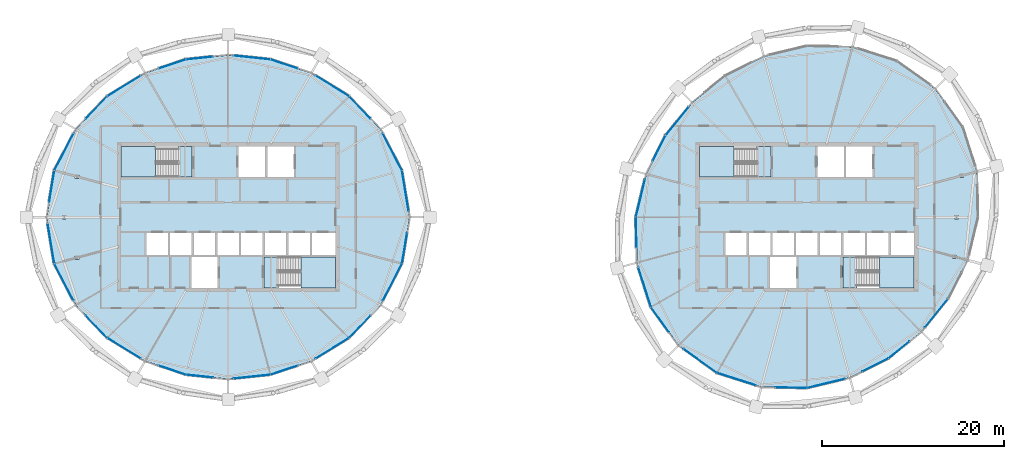
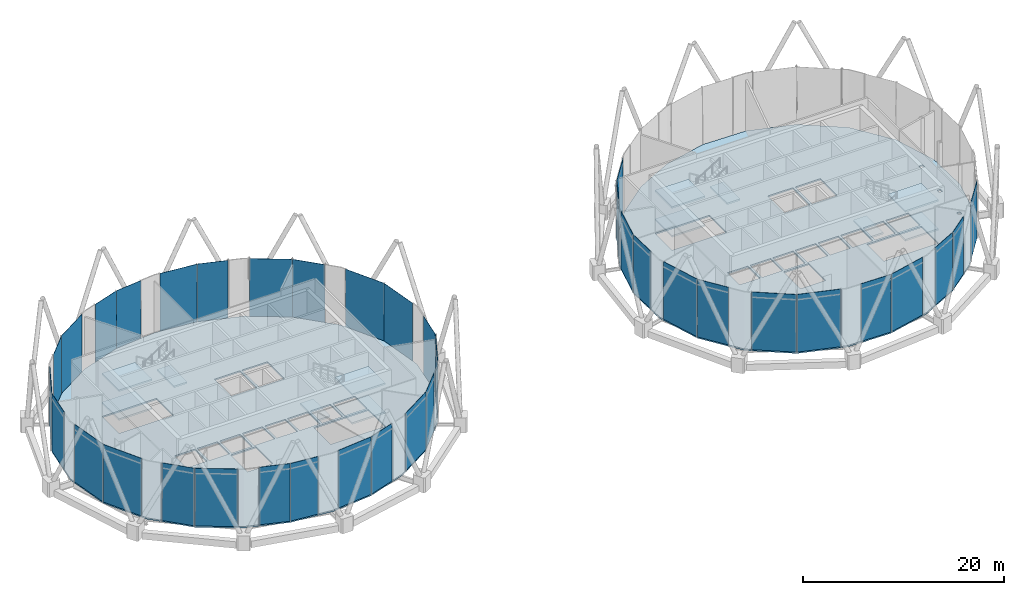
# One storey, part 16 of 28: 37 plates, 14 slabs, 6 elements without a shape of their own.
"""IFC4 building model written with IfcOpenShell, lengths in metres."""

from ifc_helpers import new_model, si_unit, direction, frame, origin, origin_2d, place, context, subcontext, project, spatial, polyline, rectangle, outline, extrude, material, layer, layer_set, type_object, element, aggregate, save


model = new_model("IFC4")

# Units and contexts
model_context = context("Model", 3, precision=1e-05, world=origin(), true_north=direction((0.0, 1.0)))
body_context = subcontext(model_context, "Body", "Model", "MODEL_VIEW")
ifc_project = project(units=[si_unit("LENGTHUNIT", "METRE"), si_unit("AREAUNIT", "SQUARE_METRE"), si_unit("VOLUMEUNIT", "CUBIC_METRE"), si_unit("PLANEANGLEUNIT", "RADIAN"), si_unit("MASSUNIT", "GRAM", prefix="KILO")], contexts=[model_context])

# Site, building, storey
site_placement = place(None, origin())
site = spatial("IfcSite", under=ifc_project, at=site_placement, CompositionType="ELEMENT")
building_placement = place(site_placement, origin())
building = spatial("IfcBuilding", under=site, at=building_placement, Name="Rimbun Link Towers", CompositionType="ELEMENT")
storey_placement = place(building_placement, frame((0.0, 0.0, 256.10009765625)))
storey = spatial("IfcBuildingStorey", under=building, at=storey_placement, Name="L63", CompositionType="ELEMENT", Elevation=256.10009765625)

# Slabs
ifc_material_1 = material(Name="Concrete C35/45", Category="concrete")
ifc_layer_1 = layer(ifc_material_1, 0.179931640625)
ifc_layer_set_1 = layer_set([ifc_layer_1], Name="COMPOSITE FLOOR 180")
slab_type_1 = type_object("IfcSlabType", Name="COMPOSITE FLOOR 180", PredefinedType="FLOOR", material=ifc_layer_set_1)
slab_1_placement = place(storey_placement, frame((0.0, 0.0, -0.18017578125)))
element("IfcSlab", 1, at=slab_1_placement, inside=storey, type_object=slab_type_1, Name="Floor slab T1 L63", PredefinedType="FLOOR", context=body_context, shape_type="SweptSolid", body=[
    extrude(outline(polyline([(-12.693603515625, -5.106201171875), (-15.04248046875, -9.64599609375), (-18.498779296875, -13.251220703125), (-22.6337890625, -15.789794921875), (-27.12060546875, -17.27685546875), (-31.75, -17.764404296875), (-36.37939453125, -17.27685546875), (-40.8662109375, -15.789794921875), (-45.001220703125, -13.251220703125), (-48.45751953125, -9.64599609375), (-50.806396484375, -5.106201171875), (-51.64599609375, 0.0), (-50.806396484375, 5.106201171875), (-48.45751953125, 9.64599609375), (-45.001220703125, 13.251220703125), (-40.8662109375, 15.789794921875), (-36.37939453125, 17.27685546875), (-31.75, 17.764404296875), (-27.12060546875, 17.27685546875), (-22.6337890625, 15.789794921875), (-18.498779296875, 13.251220703125), (-15.04248046875, 9.64599609375), (-12.693603515625, 5.106201171875), (-11.85400390625, 0.0), (-12.693603515625, -5.106201171875)]), holes=[polyline([(-32.89990234375, -7.77490234375), (-32.89990234375, -4.39990234375), (-35.800048828125, -4.39990234375), (-35.800048828125, -7.77490234375), (-32.89990234375, -7.77490234375)]), polyline([(-48.135009765625, -4.640625), (-48.135009765625, -4.2470703125), (-48.533935546875, -4.2470703125), (-48.533935546875, -4.640625), (-48.135009765625, -4.640625)]), polyline([(-38.361083984375, -4.14990234375), (-38.361083984375, -1.75), (-40.70556640625, -1.75), (-40.70556640625, -4.14990234375), (-38.361083984375, -4.14990234375)]), polyline([(-35.7666015625, -4.14990234375), (-35.7666015625, -1.75), (-38.111083984375, -1.75), (-38.111083984375, -4.14990234375), (-35.7666015625, -4.14990234375)]), polyline([(-33.172119140625, -4.14990234375), (-33.172119140625, -1.75), (-35.5166015625, -1.75), (-35.5166015625, -4.14990234375), (-33.172119140625, -4.14990234375)]), polyline([(-49.52490234375, -0.19677734375), (-49.52490234375, 0.19677734375), (-49.923828125, 0.19677734375), (-49.923828125, -0.19677734375), (-49.52490234375, -0.19677734375)]), polyline([(-48.135009765625, 4.2470703125), (-48.135009765625, 4.640625), (-48.533935546875, 4.640625), (-48.533935546875, 4.2470703125), (-48.135009765625, 4.2470703125)]), polyline([(-37.260009765625, 4.39990234375), (-37.260009765625, 7.77490234375), (-43.52490234375, 7.77490234375), (-43.52490234375, 4.39990234375), (-37.260009765625, 4.39990234375)]), polyline([(-19.97509765625, -7.77490234375), (-19.97509765625, -4.39990234375), (-26.239990234375, -4.39990234375), (-26.239990234375, -7.77490234375), (-19.97509765625, -7.77490234375)]), polyline([(-30.577880859375, -4.14990234375), (-30.577880859375, -1.75), (-32.922119140625, -1.75), (-32.922119140625, -4.14990234375), (-30.577880859375, -4.14990234375)]), polyline([(-27.9833984375, -4.14990234375), (-27.9833984375, -1.75), (-30.327880859375, -1.75), (-30.327880859375, -4.14990234375), (-27.9833984375, -4.14990234375)]), polyline([(-25.388916015625, -4.14990234375), (-25.388916015625, -1.75), (-27.7333984375, -1.75), (-27.7333984375, -4.14990234375), (-25.388916015625, -4.14990234375)]), polyline([(-22.79443359375, -4.14990234375), (-22.79443359375, -1.75), (-25.138916015625, -1.75), (-25.138916015625, -4.14990234375), (-22.79443359375, -4.14990234375)]), polyline([(-19.97509765625, -4.14990234375), (-19.97509765625, -1.75), (-22.54443359375, -1.75), (-22.54443359375, -4.14990234375), (-19.97509765625, -4.14990234375)]), polyline([(-27.699951171875, 4.39990234375), (-27.699951171875, 7.77490234375), (-30.60009765625, 7.77490234375), (-30.60009765625, 4.39990234375), (-27.699951171875, 4.39990234375)]), polyline([(-24.550048828125, 4.39990234375), (-24.550048828125, 7.77490234375), (-27.449951171875, 7.77490234375), (-27.449951171875, 4.39990234375), (-24.550048828125, 4.39990234375)])]), origin(), (0.0, 0.0, 1.0), 0.18017578125),
])
slab_2_placement = place(storey_placement, frame((0.0, 0.0, -0.18017578125)))
element("IfcSlab", 2, at=slab_2_placement, inside=storey, type_object=slab_type_1, Name="Floor slab T2 L63", PredefinedType="FLOOR", context=body_context, shape_type="SweptSolid", body=[
    extrude(outline(polyline([(48.83544921875, 9.8642578125), (50.384765625, 4.9931640625), (50.489990234375, 0.0), (49.361328125, -4.718994140625), (47.239990234375, -8.943115234375), (44.311279296875, -12.561279296875), (40.693115234375, -15.489990234375), (36.468994140625, -17.611328125), (31.75, -18.739990234375), (26.7568359375, -18.634765625), (21.8857421875, -17.08544921875), (17.681396484375, -14.068603515625), (14.66455078125, -9.8642578125), (13.115234375, -4.9931640625), (13.010009765625, 0.0), (14.138671875, 4.718994140625), (16.260009765625, 8.943115234375), (19.188720703125, 12.561279296875), (22.806884765625, 15.489990234375), (27.031005859375, 17.611328125), (31.75, 18.739990234375), (36.7431640625, 18.634765625), (41.6142578125, 17.08544921875), (45.818603515625, 14.068603515625), (48.83544921875, 9.8642578125)]), holes=[polyline([(30.60009765625, -7.77490234375), (30.60009765625, -4.39990234375), (27.699951171875, -4.39990234375), (27.699951171875, -7.77490234375), (30.60009765625, -7.77490234375)]), polyline([(25.138916015625, -4.14990234375), (25.138916015625, -1.75), (22.79443359375, -1.75), (22.79443359375, -4.14990234375), (25.138916015625, -4.14990234375)]), polyline([(27.7333984375, -4.14990234375), (27.7333984375, -1.75), (25.388916015625, -1.75), (25.388916015625, -4.14990234375), (27.7333984375, -4.14990234375)]), polyline([(30.327880859375, -4.14990234375), (30.327880859375, -1.75), (27.9833984375, -1.75), (27.9833984375, -4.14990234375), (30.327880859375, -4.14990234375)]), polyline([(32.922119140625, -4.14990234375), (32.922119140625, -1.75), (30.577880859375, -1.75), (30.577880859375, -4.14990234375), (32.922119140625, -4.14990234375)]), polyline([(35.5166015625, -4.14990234375), (35.5166015625, -1.75), (33.172119140625, -1.75), (33.172119140625, -4.14990234375), (35.5166015625, -4.14990234375)]), polyline([(26.239990234375, 4.39990234375), (26.239990234375, 7.77490234375), (19.97509765625, 7.77490234375), (19.97509765625, 4.39990234375), (26.239990234375, 4.39990234375)]), polyline([(35.800048828125, 4.39990234375), (35.800048828125, 7.77490234375), (32.89990234375, 7.77490234375), (32.89990234375, 4.39990234375), (35.800048828125, 4.39990234375)]), polyline([(43.52490234375, -7.77490234375), (43.52490234375, -4.39990234375), (37.260009765625, -4.39990234375), (37.260009765625, -7.77490234375), (43.52490234375, -7.77490234375)]), polyline([(48.11376953125, -4.528076171875), (48.11376953125, -4.134521484375), (47.71484375, -4.134521484375), (47.71484375, -4.528076171875), (48.11376953125, -4.528076171875)]), polyline([(38.111083984375, -4.14990234375), (38.111083984375, -1.75), (35.7666015625, -1.75), (35.7666015625, -4.14990234375), (38.111083984375, -4.14990234375)]), polyline([(40.70556640625, -4.14990234375), (40.70556640625, -1.75), (38.361083984375, -1.75), (38.361083984375, -4.14990234375), (40.70556640625, -4.14990234375)]), polyline([(43.52490234375, -4.14990234375), (43.52490234375, -1.75), (40.95556640625, -1.75), (40.95556640625, -4.14990234375), (43.52490234375, -4.14990234375)]), polyline([(48.37451171875, -0.19677734375), (48.37451171875, 0.19677734375), (47.9755859375, 0.19677734375), (47.9755859375, -0.19677734375), (48.37451171875, -0.19677734375)]), polyline([(48.930908203125, 4.353271484375), (48.930908203125, 4.746826171875), (48.531982421875, 4.746826171875), (48.531982421875, 4.353271484375), (48.930908203125, 4.353271484375)]), polyline([(38.949951171875, 4.39990234375), (38.949951171875, 7.77490234375), (36.050048828125, 7.77490234375), (36.050048828125, 4.39990234375), (38.949951171875, 4.39990234375)])]), origin(), (0.0, 0.0, 1.0), 0.18017578125),
])

# Curtain wall, plates
ifc_material_2 = material(Name="Aluminium 6063-T6 and low-iron glass", Category="aluminium")
curtain_wall_type = type_object("IfcCurtainWallType", Name="CW5 full height lobby wall", PredefinedType="NOTDEFINED", material=ifc_material_2)
curtain_wall_1_placement = place(storey_placement, origin())
curtain_wall_1 = element("IfcCurtainWall", 3, at=curtain_wall_1_placement, inside=storey, type_object=curtain_wall_type, Name="CW5 L63 T1", PredefinedType="NOTDEFINED")
ifc_material_3 = material(Name="Low-iron glass, laminated low-e unit", Category="glass")
ifc_layer_2 = layer(ifc_material_3, 0.031982421875)
ifc_layer_set_2 = layer_set([ifc_layer_2], Name="CW5 panel Low-iron glass 32")
plate_type = type_object("IfcPlateType", Name="CW5 panel Low-iron glass 32", PredefinedType="CURTAIN_PANEL", material=ifc_layer_set_2)
plate_1_placement = place(storey_placement, frame((-12.310791015625, 2.87646484375, 0.0), z_axis=(0.0, 0.0, 1.0), x_axis=(0.162248871928, -0.986749868791, 0.0)))
plate_1 = element("IfcPlate", 4, at=plate_1_placement, type_object=plate_type, Name="CW5 panel", PredefinedType="CURTAIN_PANEL", context=body_context, shape_type="SweptSolid", body=[
    extrude(rectangle(XDim=4.48486328125, YDim=0.031982421875, at=origin_2d()), origin(), (0.0, 0.0, 1.0), 7.0),
])
plate_2_placement = place(storey_placement, frame((-13.7275390625, 7.13916015625, 0.0), z_axis=(0.0, 0.0, 1.0), x_axis=(0.459550646917, -0.888151565285, 0.0)))
plate_2 = element("IfcPlate", 5, at=plate_2_placement, type_object=plate_type, Name="CW5 panel", PredefinedType="CURTAIN_PANEL", context=body_context, shape_type="SweptSolid", body=[
    extrude(rectangle(XDim=4.521484375, YDim=0.031982421875, at=origin_2d()), origin(), (0.0, 0.0, 1.0), 7.0),
])
plate_3_placement = place(storey_placement, frame((-17.312744140625, 12.037109375, 0.0), z_axis=(0.0, 0.0, 1.0), x_axis=(0.692052775613, -0.721846906045, 0.0)))
plate_3 = element("IfcPlate", 6, at=plate_3_placement, type_object=plate_type, Name="CW5 panel", PredefinedType="CURTAIN_PANEL", context=body_context, shape_type="SweptSolid", body=[
    extrude(rectangle(XDim=3.354248046875, YDim=0.031982421875, at=origin_2d()), origin(), (0.0, 0.0, 1.0), 7.0),
])
plate_4_placement = place(storey_placement, frame((-20.323486328125, 14.39013671875, 0.0), z_axis=(0.0, 0.0, 1.0), x_axis=(0.85218154436, -0.523246228321, 0.0)))
plate_4 = element("IfcPlate", 7, at=plate_4_placement, type_object=plate_type, Name="CW5 panel", PredefinedType="CURTAIN_PANEL", context=body_context, shape_type="SweptSolid", body=[
    extrude(rectangle(XDim=4.261962890625, YDim=0.031982421875, at=origin_2d()), origin(), (0.0, 0.0, 1.0), 7.0),
])
plate_5_placement = place(storey_placement, frame((-25.60791015625, 16.792236328125, 0.0), z_axis=(0.0, 0.0, 1.0), x_axis=(0.949238213997, -0.314558123546, 0.0)))
plate_5 = element("IfcPlate", 8, at=plate_5_placement, type_object=plate_type, Name="CW5 panel", PredefinedType="CURTAIN_PANEL", context=body_context, shape_type="SweptSolid", body=[
    extrude(rectangle(XDim=3.136962890625, YDim=0.031982421875, at=origin_2d()), origin(), (0.0, 0.0, 1.0), 7.0),
])
plate_6_placement = place(storey_placement, frame((-29.13525390625, 17.505126953125, 0.0), z_axis=(0.0, 0.0, 1.0), x_axis=(0.994500861131, -0.104728397345, 0.0)))
plate_6 = element("IfcPlate", 9, at=plate_6_placement, type_object=plate_type, Name="CW5 panel", PredefinedType="CURTAIN_PANEL", context=body_context, shape_type="SweptSolid", body=[
    extrude(rectangle(XDim=4.014892578125, YDim=0.031982421875, at=origin_2d()), origin(), (0.0, 0.0, 1.0), 7.0),
])
plate_7_placement = place(storey_placement, frame((-34.88671875, 17.449951171875, 0.0), z_axis=(0.0, 0.0, 1.0), x_axis=(0.994500861131, 0.104728397345, 0.0)))
plate_7 = element("IfcPlate", 10, at=plate_7_placement, type_object=plate_type, Name="CW5 panel", PredefinedType="CURTAIN_PANEL", context=body_context, shape_type="SweptSolid", body=[
    extrude(rectangle(XDim=2.96484375, YDim=0.031982421875, at=origin_2d()), origin(), (0.0, 0.0, 1.0), 7.0),
])
plate_8_placement = place(storey_placement, frame((-37.89208984375, 16.792236328125, 0.0), z_axis=(0.0, 0.0, 1.0), x_axis=(0.949238213997, 0.314558123546, 0.0)))
plate_8 = element("IfcPlate", 11, at=plate_8_placement, type_object=plate_type, Name="CW5 panel", PredefinedType="CURTAIN_PANEL", context=body_context, shape_type="SweptSolid", body=[
    extrude(rectangle(XDim=3.136962890625, YDim=0.031982421875, at=origin_2d()), origin(), (0.0, 0.0, 1.0), 7.0),
])
plate_9_placement = place(storey_placement, frame((-43.176513671875, 14.39013671875, 0.0), z_axis=(0.0, 0.0, 1.0), x_axis=(0.85218154436, 0.523246228321, 0.0)))
plate_9 = element("IfcPlate", 12, at=plate_9_placement, type_object=plate_type, Name="CW5 panel", PredefinedType="CURTAIN_PANEL", context=body_context, shape_type="SweptSolid", body=[
    extrude(rectangle(XDim=4.261962890625, YDim=0.031982421875, at=origin_2d()), origin(), (0.0, 0.0, 1.0), 7.0),
])
plate_10_placement = place(storey_placement, frame((-46.187255859375, 12.037109375, 0.0), z_axis=(0.0, 0.0, 1.0), x_axis=(0.692052775613, 0.721846906045, 0.0)))
plate_10 = element("IfcPlate", 13, at=plate_10_placement, type_object=plate_type, Name="CW5 panel", PredefinedType="CURTAIN_PANEL", context=body_context, shape_type="SweptSolid", body=[
    extrude(rectangle(XDim=3.354248046875, YDim=0.031982421875, at=origin_2d()), origin(), (0.0, 0.0, 1.0), 7.0),
])
plate_11_placement = place(storey_placement, frame((-49.7724609375, 7.13916015625, 0.0), z_axis=(0.0, 0.0, 1.0), x_axis=(0.459550646917, 0.888151565285, 0.0)))
plate_11 = element("IfcPlate", 14, at=plate_11_placement, type_object=plate_type, Name="CW5 panel", PredefinedType="CURTAIN_PANEL", context=body_context, shape_type="SweptSolid", body=[
    extrude(rectangle(XDim=4.521484375, YDim=0.031982421875, at=origin_2d()), origin(), (0.0, 0.0, 1.0), 7.0),
])
plate_12_placement = place(storey_placement, frame((-51.108154296875, 3.369873046875, 0.0), z_axis=(0.0, 0.0, 1.0), x_axis=(0.162248871928, 0.986749868791, 0.0)))
plate_12 = element("IfcPlate", 15, at=plate_12_placement, type_object=plate_type, Name="CW5 panel", PredefinedType="CURTAIN_PANEL", context=body_context, shape_type="SweptSolid", body=[
    extrude(rectangle(XDim=3.48486328125, YDim=0.031982421875, at=origin_2d()), origin(), (0.0, 0.0, 1.0), 7.0),
])
plate_13_placement = place(storey_placement, frame((-51.185302734375, -2.901123046875, 0.0), z_axis=(0.0, 0.0, 1.0), x_axis=(-0.162248871928, 0.986749868791, 0.0)))
plate_13 = element("IfcPlate", 16, at=plate_13_placement, type_object=plate_type, Name="CW5 panel", PredefinedType="CURTAIN_PANEL", context=body_context, shape_type="SweptSolid", body=[
    extrude(rectangle(XDim=4.434814453125, YDim=0.031982421875, at=origin_2d()), origin(), (0.0, 0.0, 1.0), 7.0),
])
plate_14_placement = place(storey_placement, frame((-49.7724609375, -7.13916015625, 0.0), z_axis=(0.0, 0.0, 1.0), x_axis=(-0.459550646917, 0.888151565285, 0.0)))
plate_14 = element("IfcPlate", 17, at=plate_14_placement, type_object=plate_type, Name="CW5 panel", PredefinedType="CURTAIN_PANEL", context=body_context, shape_type="SweptSolid", body=[
    extrude(rectangle(XDim=4.521484375, YDim=0.031982421875, at=origin_2d()), origin(), (0.0, 0.0, 1.0), 7.0),
])
plate_15_placement = place(storey_placement, frame((-46.187255859375, -12.037109375, 0.0), z_axis=(0.0, 0.0, 1.0), x_axis=(-0.692052775613, 0.721846906045, 0.0)))
plate_15 = element("IfcPlate", 18, at=plate_15_placement, type_object=plate_type, Name="CW5 panel", PredefinedType="CURTAIN_PANEL", context=body_context, shape_type="SweptSolid", body=[
    extrude(rectangle(XDim=3.354248046875, YDim=0.031982421875, at=origin_2d()), origin(), (0.0, 0.0, 1.0), 7.0),
])
plate_16_placement = place(storey_placement, frame((-43.176513671875, -14.39013671875, 0.0), z_axis=(0.0, 0.0, 1.0), x_axis=(-0.85218154436, 0.523246228321, 0.0)))
plate_16 = element("IfcPlate", 19, at=plate_16_placement, type_object=plate_type, Name="CW5 panel", PredefinedType="CURTAIN_PANEL", context=body_context, shape_type="SweptSolid", body=[
    extrude(rectangle(XDim=4.261962890625, YDim=0.031982421875, at=origin_2d()), origin(), (0.0, 0.0, 1.0), 7.0),
])
plate_17_placement = place(storey_placement, frame((-37.89208984375, -16.792236328125, 0.0), z_axis=(0.0, 0.0, 1.0), x_axis=(-0.949238213997, 0.314558123546, 0.0)))
plate_17 = element("IfcPlate", 20, at=plate_17_placement, type_object=plate_type, Name="CW5 panel", PredefinedType="CURTAIN_PANEL", context=body_context, shape_type="SweptSolid", body=[
    extrude(rectangle(XDim=3.136962890625, YDim=0.031982421875, at=origin_2d()), origin(), (0.0, 0.0, 1.0), 7.0),
])
plate_18_placement = place(storey_placement, frame((-34.88671875, -17.449951171875, 0.0), z_axis=(0.0, 0.0, 1.0), x_axis=(-0.994500861131, 0.104728397345, 0.0)))
plate_18 = element("IfcPlate", 21, at=plate_18_placement, type_object=plate_type, Name="CW5 panel", PredefinedType="CURTAIN_PANEL", context=body_context, shape_type="SweptSolid", body=[
    extrude(rectangle(XDim=2.96484375, YDim=0.031982421875, at=origin_2d()), origin(), (0.0, 0.0, 1.0), 7.0),
])
plate_19_placement = place(storey_placement, frame((-29.13525390625, -17.505126953125, 0.0), z_axis=(0.0, 0.0, 1.0), x_axis=(-0.994500861131, -0.104728397345, 0.0)))
plate_19 = element("IfcPlate", 22, at=plate_19_placement, type_object=plate_type, Name="CW5 panel", PredefinedType="CURTAIN_PANEL", context=body_context, shape_type="SweptSolid", body=[
    extrude(rectangle(XDim=4.014892578125, YDim=0.031982421875, at=origin_2d()), origin(), (0.0, 0.0, 1.0), 7.0),
])
plate_20_placement = place(storey_placement, frame((-25.60791015625, -16.792236328125, 0.0), z_axis=(0.0, 0.0, 1.0), x_axis=(-0.949238213997, -0.314558123546, 0.0)))
plate_20 = element("IfcPlate", 23, at=plate_20_placement, type_object=plate_type, Name="CW5 panel", PredefinedType="CURTAIN_PANEL", context=body_context, shape_type="SweptSolid", body=[
    extrude(rectangle(XDim=3.136962890625, YDim=0.031982421875, at=origin_2d()), origin(), (0.0, 0.0, 1.0), 7.0),
])
plate_21_placement = place(storey_placement, frame((-20.323486328125, -14.39013671875, 0.0), z_axis=(0.0, 0.0, 1.0), x_axis=(-0.85218154436, -0.523246228321, 0.0)))
plate_21 = element("IfcPlate", 24, at=plate_21_placement, type_object=plate_type, Name="CW5 panel", PredefinedType="CURTAIN_PANEL", context=body_context, shape_type="SweptSolid", body=[
    extrude(rectangle(XDim=4.261962890625, YDim=0.031982421875, at=origin_2d()), origin(), (0.0, 0.0, 1.0), 7.0),
])
plate_22_placement = place(storey_placement, frame((-17.312744140625, -12.037109375, 0.0), z_axis=(0.0, 0.0, 1.0), x_axis=(-0.692052775613, -0.721846906045, 0.0)))
plate_22 = element("IfcPlate", 25, at=plate_22_placement, type_object=plate_type, Name="CW5 panel", PredefinedType="CURTAIN_PANEL", context=body_context, shape_type="SweptSolid", body=[
    extrude(rectangle(XDim=3.354248046875, YDim=0.031982421875, at=origin_2d()), origin(), (0.0, 0.0, 1.0), 7.0),
])
plate_23_placement = place(storey_placement, frame((-13.7275390625, -7.13916015625, 0.0), z_axis=(0.0, 0.0, 1.0), x_axis=(-0.459550646917, -0.888151565285, 0.0)))
plate_23 = element("IfcPlate", 26, at=plate_23_placement, type_object=plate_type, Name="CW5 panel", PredefinedType="CURTAIN_PANEL", context=body_context, shape_type="SweptSolid", body=[
    extrude(rectangle(XDim=4.521484375, YDim=0.031982421875, at=origin_2d()), origin(), (0.0, 0.0, 1.0), 7.0),
])
plate_24_placement = place(storey_placement, frame((-12.39990234375, -3.419189453125, 0.0), z_axis=(0.0, 0.0, 1.0), x_axis=(-0.162248871928, -0.986749868791, 0.0)))
plate_24 = element("IfcPlate", 27, at=plate_24_placement, type_object=plate_type, Name="CW5 panel", PredefinedType="CURTAIN_PANEL", context=body_context, shape_type="SweptSolid", body=[
    extrude(rectangle(XDim=3.384765625, YDim=0.031982421875, at=origin_2d()), origin(), (0.0, 0.0, 1.0), 7.0),
])
aggregate(curtain_wall_1, [plate_1, plate_2, plate_3, plate_4, plate_5, plate_6, plate_7, plate_8, plate_9, plate_10, plate_11, plate_12, plate_13, plate_14, plate_15, plate_16, plate_17, plate_18, plate_19, plate_20, plate_21, plate_22, plate_23, plate_24])

curtain_wall_2_placement = place(storey_placement, origin())
curtain_wall_2 = element("IfcCurtainWall", 28, at=curtain_wall_2_placement, inside=storey, type_object=curtain_wall_type, Name="CW5 L63 T2", PredefinedType="NOTDEFINED")
plate_25_placement = place(storey_placement, frame((17.523193359375, 10.529052734375, 0.0), z_axis=(0.0, 0.0, 1.0), x_axis=(0.629143843402, 0.777288893726, 0.0)))
plate_25 = element("IfcPlate", 29, at=plate_25_placement, type_object=plate_type, Name="CW5 panel", PredefinedType="CURTAIN_PANEL", context=body_context, shape_type="SweptSolid", body=[
    extrude(rectangle(XDim=4.014892578125, YDim=0.031982421875, at=origin_2d()), origin(), (0.0, 0.0, 1.0), 7.0),
])
plate_26_placement = place(storey_placement, frame((15.532958984375, 7.53076171875, 0.0), z_axis=(0.0, 0.0, 1.0), x_axis=(0.448786851491, 0.893638831927, 0.0)))
plate_26 = element("IfcPlate", 30, at=plate_26_placement, type_object=plate_type, Name="CW5 panel", PredefinedType="CURTAIN_PANEL", context=body_context, shape_type="SweptSolid", body=[
    extrude(rectangle(XDim=3.136962890625, YDim=0.031982421875, at=origin_2d()), origin(), (0.0, 0.0, 1.0), 7.0),
])
plate_27_placement = place(storey_placement, frame((13.494873046875, 2.095703125, 0.0), z_axis=(0.0, 0.0, 1.0), x_axis=(0.232605846557, 0.972571087452, 0.0)))
plate_27 = element("IfcPlate", 31, at=plate_27_placement, type_object=plate_type, Name="CW5 panel", PredefinedType="CURTAIN_PANEL", context=body_context, shape_type="SweptSolid", body=[
    extrude(rectangle(XDim=4.261962890625, YDim=0.031982421875, at=origin_2d()), origin(), (0.0, 0.0, 1.0), 7.0),
])
plate_28_placement = place(storey_placement, frame((13.02978515625, -1.697021484375, 0.0), z_axis=(0.0, 0.0, 1.0), x_axis=(-0.021064400542, 0.9997781209, 0.0)))
plate_28 = element("IfcPlate", 32, at=plate_28_placement, type_object=plate_type, Name="CW5 panel", PredefinedType="CURTAIN_PANEL", context=body_context, shape_type="SweptSolid", body=[
    extrude(rectangle(XDim=3.354248046875, YDim=0.031982421875, at=origin_2d()), origin(), (0.0, 0.0, 1.0), 7.0),
])
plate_29_placement = place(storey_placement, frame((13.9580078125, -7.695556640625, 0.0), z_axis=(0.0, 0.0, 1.0), x_axis=(-0.303074456046, 0.952966879851, 0.0)))
plate_29 = element("IfcPlate", 33, at=plate_29_placement, type_object=plate_type, Name="CW5 panel", PredefinedType="CURTAIN_PANEL", context=body_context, shape_type="SweptSolid", body=[
    extrude(rectangle(XDim=4.521728515625, YDim=0.031982421875, at=origin_2d()), origin(), (0.0, 0.0, 1.0), 7.0),
])
plate_30_placement = place(storey_placement, frame((15.64990234375, -11.264892578125, 0.0), z_axis=(0.0, 0.0, 1.0), x_axis=(-0.583006333586, 0.812467608584, 0.0)))
plate_30 = element("IfcPlate", 34, at=plate_30_placement, type_object=plate_type, Name="CW5 panel", PredefinedType="CURTAIN_PANEL", context=body_context, shape_type="SweptSolid", body=[
    extrude(rectangle(XDim=3.384765625, YDim=0.031982421875, at=origin_2d()), origin(), (0.0, 0.0, 1.0), 7.0),
])
plate_31_placement = place(storey_placement, frame((20.038330078125, -15.779541015625, 0.0), z_axis=(0.0, 0.0, 1.0), x_axis=(-0.812467608584, 0.583006333586, 0.0)))
plate_31 = element("IfcPlate", 35, at=plate_31_placement, type_object=plate_type, Name="CW5 panel", PredefinedType="CURTAIN_PANEL", context=body_context, shape_type="SweptSolid", body=[
    extrude(rectangle(XDim=4.484619140625, YDim=0.031982421875, at=origin_2d()), origin(), (0.0, 0.0, 1.0), 7.0),
])
plate_32_placement = place(storey_placement, frame((24.030517578125, -17.784423828125, 0.0), z_axis=(0.0, 0.0, 1.0), x_axis=(-0.952966879851, 0.303074456046, 0.0)))
plate_32 = element("IfcPlate", 36, at=plate_32_placement, type_object=plate_type, Name="CW5 panel", PredefinedType="CURTAIN_PANEL", context=body_context, shape_type="SweptSolid", body=[
    extrude(rectangle(XDim=4.4716796875, YDim=0.031982421875, at=origin_2d()), origin(), (0.0, 0.0, 1.0), 7.0),
])
plate_33_placement = place(storey_placement, frame((30.02783203125, -18.7197265625, 0.0), z_axis=(0.0, 0.0, 1.0), x_axis=(-0.9997781209, 0.021064400542, 0.0)))
plate_33 = element("IfcPlate", 37, at=plate_33_placement, type_object=plate_type, Name="CW5 panel", PredefinedType="CURTAIN_PANEL", context=body_context, shape_type="SweptSolid", body=[
    extrude(rectangle(XDim=3.404296875, YDim=0.031982421875, at=origin_2d()), origin(), (0.0, 0.0, 1.0), 7.0),
])
plate_34_placement = place(storey_placement, frame((33.845703125, -18.255126953125, 0.0), z_axis=(0.0, 0.0, 1.0), x_axis=(-0.972571087452, -0.232605846557, 0.0)))
plate_34 = element("IfcPlate", 38, at=plate_34_placement, type_object=plate_type, Name="CW5 panel", PredefinedType="CURTAIN_PANEL", context=body_context, shape_type="SweptSolid", body=[
    extrude(rectangle(XDim=4.261962890625, YDim=0.031982421875, at=origin_2d()), origin(), (0.0, 0.0, 1.0), 7.0),
])
plate_35_placement = place(storey_placement, frame((39.25830078125, -16.228271484375, 0.0), z_axis=(0.0, 0.0, 1.0), x_axis=(-0.893638831927, -0.448786851491, 0.0)))
plate_35 = element("IfcPlate", 39, at=plate_35_placement, type_object=plate_type, Name="CW5 panel", PredefinedType="CURTAIN_PANEL", context=body_context, shape_type="SweptSolid", body=[
    extrude(rectangle(XDim=3.18701171875, YDim=0.031982421875, at=origin_2d()), origin(), (0.0, 0.0, 1.0), 7.0),
])
plate_36_placement = place(storey_placement, frame((41.8515625, -14.57275390625, 0.0), z_axis=(0.0, 0.0, 1.0), x_axis=(-0.777288893726, -0.629143843402, 0.0)))
plate_36 = element("IfcPlate", 40, at=plate_36_placement, type_object=plate_type, Name="CW5 panel", PredefinedType="CURTAIN_PANEL", context=body_context, shape_type="SweptSolid", body=[
    extrude(rectangle(XDim=2.914794921875, YDim=0.031982421875, at=origin_2d()), origin(), (0.0, 0.0, 1.0), 7.0),
])
plate_37_placement = place(storey_placement, frame((45.976806640625, -10.529052734375, 0.0), z_axis=(0.0, 0.0, 1.0), x_axis=(-0.629143843402, -0.777288893726, 0.0)))
plate_37 = element("IfcPlate", 41, at=plate_37_placement, type_object=plate_type, Name="CW5 panel", PredefinedType="CURTAIN_PANEL", context=body_context, shape_type="SweptSolid", body=[
    extrude(rectangle(XDim=4.014892578125, YDim=0.031982421875, at=origin_2d()), origin(), (0.0, 0.0, 1.0), 7.0),
])
aggregate(curtain_wall_2, [plate_25, plate_26, plate_27, plate_28, plate_29, plate_30, plate_31, plate_32, plate_33, plate_34, plate_35, plate_36, plate_37])

# Stair, slabs
ifc_material_4 = material(Name="Concrete C40/50", Category="concrete")
stair_type = type_object("IfcStairType", Name="Exit stair 7000 rise", PredefinedType="HALF_TURN_STAIR", material=ifc_material_4)
stair_1_placement = place(storey_placement, origin())
stair_1 = element("IfcStair", 42, at=stair_1_placement, inside=storey, type_object=stair_type, Name="L63 EXIT STAIR A", PredefinedType="HALF_TURN_STAIR")
ifc_material_5 = material(Name="Concrete C40/50", Category="concrete")
ifc_layer_3 = layer(ifc_material_5, 0.199951171875)
ifc_layer_set_3 = layer_set([ifc_layer_3], Name="Stair landing")
slab_type_2 = type_object("IfcSlabType", Name="Stair landing", PredefinedType="LANDING", material=ifc_layer_set_3)
slab_3_placement = place(storey_placement, frame((0.0, 0.0, 1.5498046875)))
slab_3 = element("IfcSlab", 43, at=slab_3_placement, type_object=slab_type_2, Name="ST1 landing 1", PredefinedType="LANDING", context=body_context, shape_type="SweptSolid", body=[
    extrude(outline(polyline([(-39.719970703125, 7.77490234375), (-43.52490234375, 7.77490234375), (-43.52490234375, 4.39990234375), (-39.719970703125, 4.39990234375), (-39.719970703125, 7.77490234375)])), origin(), (0.0, 0.0, 1.0), 0.2001953125),
])
slab_4_placement = place(storey_placement, frame((0.0, 0.0, 3.2998046875)))
slab_4 = element("IfcSlab", 44, at=slab_4_placement, type_object=slab_type_2, Name="ST1 landing 2", PredefinedType="LANDING", context=body_context, shape_type="SweptSolid", body=[
    extrude(outline(polyline([(-35.699951171875, 7.77490234375), (-37.199951171875, 7.77490234375), (-37.199951171875, 4.39990234375), (-35.699951171875, 4.39990234375), (-35.699951171875, 7.77490234375)])), origin(), (0.0, 0.0, 1.0), 0.2001953125),
])
slab_5_placement = place(storey_placement, frame((0.0, 0.0, 5.0498046875)))
slab_5 = element("IfcSlab", 45, at=slab_5_placement, type_object=slab_type_2, Name="ST1 landing 3", PredefinedType="LANDING", context=body_context, shape_type="SweptSolid", body=[
    extrude(outline(polyline([(-39.719970703125, 7.77490234375), (-43.52490234375, 7.77490234375), (-43.52490234375, 4.39990234375), (-39.719970703125, 4.39990234375), (-39.719970703125, 7.77490234375)])), origin(), (0.0, 0.0, 1.0), 0.2001953125),
])
aggregate(stair_1, [slab_3, slab_4, slab_5])

stair_2_placement = place(storey_placement, origin())
stair_2 = element("IfcStair", 46, at=stair_2_placement, inside=storey, type_object=stair_type, Name="L63 EXIT STAIR B", PredefinedType="HALF_TURN_STAIR")
slab_6_placement = place(storey_placement, frame((0.0, 0.0, 1.5498046875)))
slab_6 = element("IfcSlab", 47, at=slab_6_placement, type_object=slab_type_2, Name="ST2 landing 1", PredefinedType="LANDING", context=body_context, shape_type="SweptSolid", body=[
    extrude(outline(polyline([(-23.780029296875, -7.77490234375), (-19.97509765625, -7.77490234375), (-19.97509765625, -4.39990234375), (-23.780029296875, -4.39990234375), (-23.780029296875, -7.77490234375)])), origin(), (0.0, 0.0, 1.0), 0.2001953125),
])
slab_7_placement = place(storey_placement, frame((0.0, 0.0, 3.2998046875)))
slab_7 = element("IfcSlab", 48, at=slab_7_placement, type_object=slab_type_2, Name="ST2 landing 2", PredefinedType="LANDING", context=body_context, shape_type="SweptSolid", body=[
    extrude(outline(polyline([(-27.800048828125, -7.77490234375), (-26.300048828125, -7.77490234375), (-26.300048828125, -4.39990234375), (-27.800048828125, -4.39990234375), (-27.800048828125, -7.77490234375)])), origin(), (0.0, 0.0, 1.0), 0.2001953125),
])
slab_8_placement = place(storey_placement, frame((0.0, 0.0, 5.0498046875)))
slab_8 = element("IfcSlab", 49, at=slab_8_placement, type_object=slab_type_2, Name="ST2 landing 3", PredefinedType="LANDING", context=body_context, shape_type="SweptSolid", body=[
    extrude(outline(polyline([(-23.780029296875, -7.77490234375), (-19.97509765625, -7.77490234375), (-19.97509765625, -4.39990234375), (-23.780029296875, -4.39990234375), (-23.780029296875, -7.77490234375)])), origin(), (0.0, 0.0, 1.0), 0.2001953125),
])
aggregate(stair_2, [slab_6, slab_7, slab_8])

stair_3_placement = place(storey_placement, origin())
stair_3 = element("IfcStair", 50, at=stair_3_placement, inside=storey, type_object=stair_type, Name="L63 EXIT STAIR A", PredefinedType="HALF_TURN_STAIR")
slab_9_placement = place(storey_placement, frame((0.0, 0.0, 1.5498046875)))
slab_9 = element("IfcSlab", 51, at=slab_9_placement, type_object=slab_type_2, Name="ST3 landing 1", PredefinedType="LANDING", context=body_context, shape_type="SweptSolid", body=[
    extrude(outline(polyline([(23.780029296875, 7.77490234375), (19.97509765625, 7.77490234375), (19.97509765625, 4.39990234375), (23.780029296875, 4.39990234375), (23.780029296875, 7.77490234375)])), origin(), (0.0, 0.0, 1.0), 0.2001953125),
])
slab_10_placement = place(storey_placement, frame((0.0, 0.0, 3.2998046875)))
slab_10 = element("IfcSlab", 52, at=slab_10_placement, type_object=slab_type_2, Name="ST3 landing 2", PredefinedType="LANDING", context=body_context, shape_type="SweptSolid", body=[
    extrude(outline(polyline([(27.800048828125, 7.77490234375), (26.300048828125, 7.77490234375), (26.300048828125, 4.39990234375), (27.800048828125, 4.39990234375), (27.800048828125, 7.77490234375)])), origin(), (0.0, 0.0, 1.0), 0.2001953125),
])
slab_11_placement = place(storey_placement, frame((0.0, 0.0, 5.0498046875)))
slab_11 = element("IfcSlab", 53, at=slab_11_placement, type_object=slab_type_2, Name="ST3 landing 3", PredefinedType="LANDING", context=body_context, shape_type="SweptSolid", body=[
    extrude(outline(polyline([(23.780029296875, 7.77490234375), (19.97509765625, 7.77490234375), (19.97509765625, 4.39990234375), (23.780029296875, 4.39990234375), (23.780029296875, 7.77490234375)])), origin(), (0.0, 0.0, 1.0), 0.2001953125),
])
aggregate(stair_3, [slab_9, slab_10, slab_11])

stair_4_placement = place(storey_placement, origin())
stair_4 = element("IfcStair", 54, at=stair_4_placement, inside=storey, type_object=stair_type, Name="L63 EXIT STAIR B", PredefinedType="HALF_TURN_STAIR")
slab_12_placement = place(storey_placement, frame((0.0, 0.0, 1.5498046875)))
slab_12 = element("IfcSlab", 55, at=slab_12_placement, type_object=slab_type_2, Name="ST4 landing 1", PredefinedType="LANDING", context=body_context, shape_type="SweptSolid", body=[
    extrude(outline(polyline([(39.719970703125, -7.77490234375), (43.52490234375, -7.77490234375), (43.52490234375, -4.39990234375), (39.719970703125, -4.39990234375), (39.719970703125, -7.77490234375)])), origin(), (0.0, 0.0, 1.0), 0.2001953125),
])
slab_13_placement = place(storey_placement, frame((0.0, 0.0, 3.2998046875)))
slab_13 = element("IfcSlab", 56, at=slab_13_placement, type_object=slab_type_2, Name="ST4 landing 2", PredefinedType="LANDING", context=body_context, shape_type="SweptSolid", body=[
    extrude(outline(polyline([(35.699951171875, -7.77490234375), (37.199951171875, -7.77490234375), (37.199951171875, -4.39990234375), (35.699951171875, -4.39990234375), (35.699951171875, -7.77490234375)])), origin(), (0.0, 0.0, 1.0), 0.2001953125),
])
slab_14_placement = place(storey_placement, frame((0.0, 0.0, 5.0498046875)))
slab_14 = element("IfcSlab", 57, at=slab_14_placement, type_object=slab_type_2, Name="ST4 landing 3", PredefinedType="LANDING", context=body_context, shape_type="SweptSolid", body=[
    extrude(outline(polyline([(39.719970703125, -7.77490234375), (43.52490234375, -7.77490234375), (43.52490234375, -4.39990234375), (39.719970703125, -4.39990234375), (39.719970703125, -7.77490234375)])), origin(), (0.0, 0.0, 1.0), 0.2001953125),
])
aggregate(stair_4, [slab_12, slab_13, slab_14])

save(model, "model.ifc")
